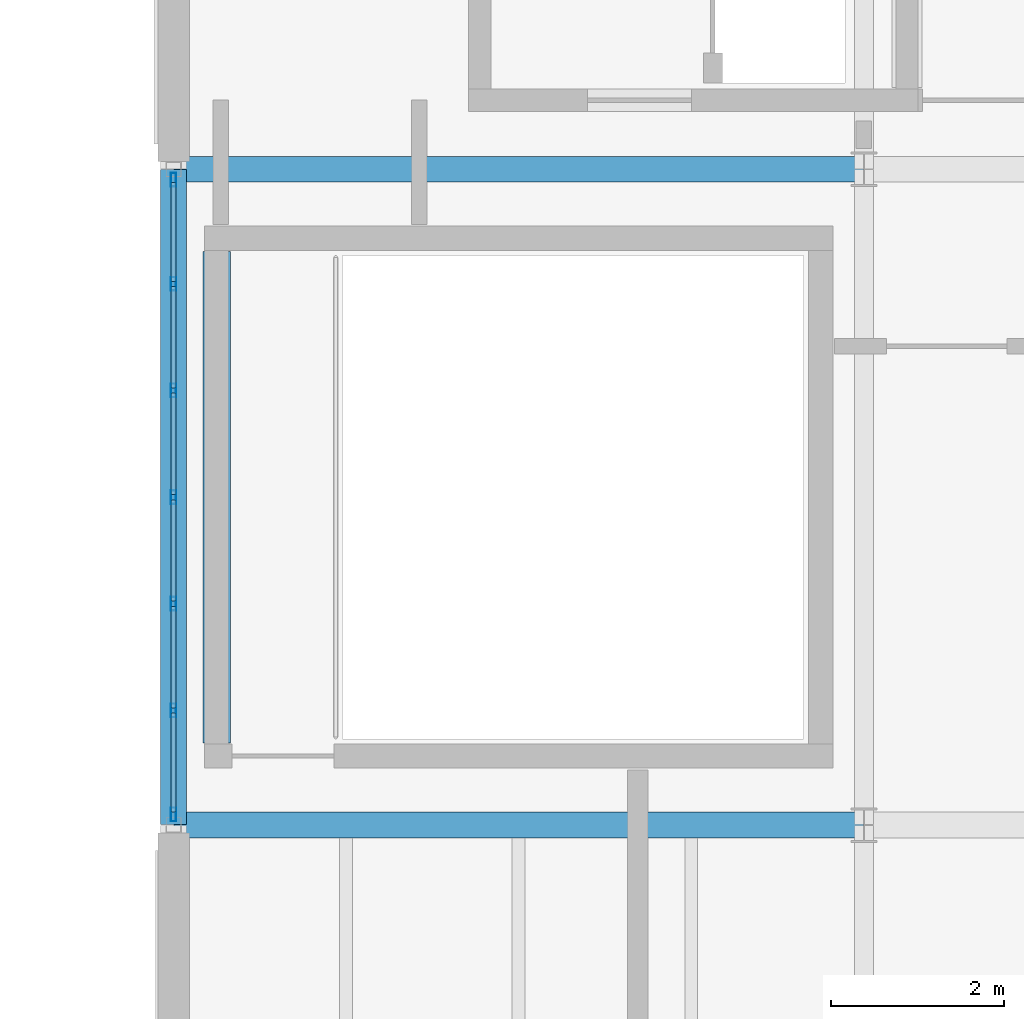
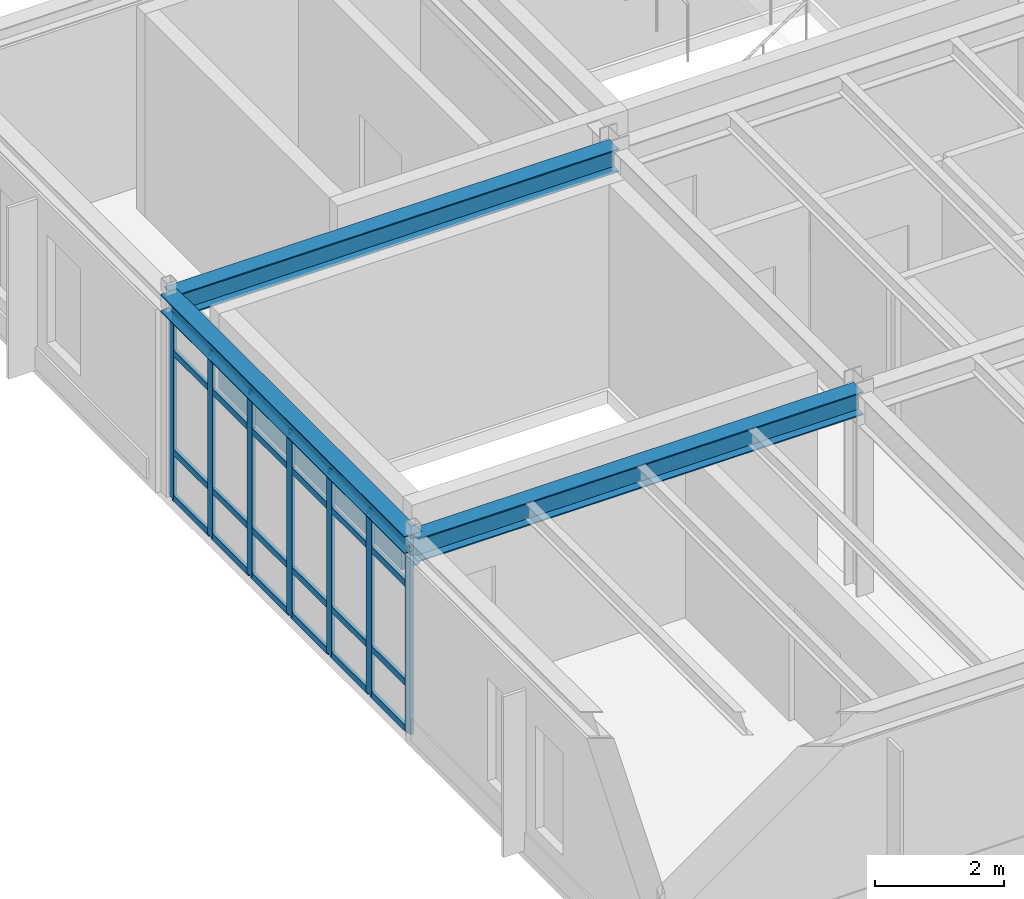
# One storey, part 39 of 65: 31 members, 4 beams, 1 element without a shape of its own.
"""IFC4 building model written with IfcOpenShell, lengths in metres."""

from ifc_helpers import new_model, si_unit, direction, frame, origin, origin_2d, place, context, subcontext, project, spatial, rectangle, hollow_rectangle, i_section, extrude, material, layer, layer_set, material_profile, profile_set, type_object, element, aggregate, save


model = new_model("IFC4")

# Units and contexts
model_context = context("Model", 3, precision=1e-05, world=origin(), true_north=direction((0.0, 1.0)))
body_context = subcontext(model_context, "Body", "Model", "MODEL_VIEW")
ifc_project = project(units=[si_unit("LENGTHUNIT", "METRE"), si_unit("AREAUNIT", "SQUARE_METRE"), si_unit("VOLUMEUNIT", "CUBIC_METRE"), si_unit("PLANEANGLEUNIT", "RADIAN"), si_unit("MASSUNIT", "GRAM", prefix="KILO")], contexts=[model_context])

# Site, building, storey
site_placement = place(None, origin())
site = spatial("IfcSite", under=ifc_project, at=site_placement, CompositionType="ELEMENT")
building_placement = place(site_placement, origin())
building = spatial("IfcBuilding", under=site, at=building_placement, Name="Montecoro Central Library", CompositionType="ELEMENT")
storey_placement = place(building_placement, frame((0.0, 0.0, 17.340087890625)))
storey = spatial("IfcBuildingStorey", under=building, at=storey_placement, Name="L04", CompositionType="ELEMENT", Elevation=17.340087890625)

# Beams
ifc_material_1 = material(Name="Steel S355J2", Category="steel")
ifc_material_profile_1 = material_profile(ifc_material_1, i_section(OverallWidth=0.300048828125, OverallDepth=0.43994140625, WebThickness=0.011474609375, FlangeThickness=0.02099609375, at=origin_2d()), Name="HEA 450")
ifc_profile_set_1 = profile_set([ifc_material_profile_1], Name="Steel S355J2")
beam_type_1 = type_object("IfcBeamType", Name="BM-G-HEA450", PredefinedType="USERDEFINED", material=ifc_profile_set_1)
for number, where, z_axis, x_axis, name in (
    (1, (141.0048828125, 103.800048828125, 3.60498046875), (1.0, 0.0, 0.0), (0.0, 1.0, 0.0), "V5-L04-BX-1819-P"),
    (2, (141.0048828125, 111.39990234375, 3.60498046875), (1.0, 0.0, 0.0), (0.0, 1.0, 0.0), "V5-L04-BX-1819-Q"),
):
    element("IfcBeam", number, at=place(storey_placement, frame(where, z_axis=z_axis, x_axis=x_axis)), inside=storey, type_object=beam_type_1, Name=name, ObjectType="GIRDER", PredefinedType="USERDEFINED", context=body_context, shape_type="SweptSolid", body=[
        extrude(i_section(OverallWidth=0.300048828125, OverallDepth=0.43994140625, WebThickness=0.011474609375, FlangeThickness=0.02099609375, at=origin_2d()), origin(), (0.0, 0.0, 1.0), 7.990234375),
    ])
ifc_material_2 = material(Name="Concrete C35/45", Category="concrete")
ifc_material_profile_2 = material_profile(ifc_material_2, rectangle(XDim=0.320068359375, YDim=0.5, at=origin_2d()), Name="RC LNT 500x320")
ifc_profile_set_2 = profile_set([ifc_material_profile_2], Name="Concrete C35/45")
beam_type_2 = type_object("IfcBeamType", Name="BM-LN-RC03", PredefinedType="LINTEL", material=ifc_profile_set_2)
beam_1_placement = place(storey_placement, frame((141.5, 104.75, 2.699951171875), z_axis=(0.0, 1.0, 0.0), x_axis=(-1.0, 0.0, 0.0)))
element("IfcBeam", 3, at=beam_1_placement, inside=storey, type_object=beam_type_2, Name="C8-L04-LNT", PredefinedType="LINTEL", context=body_context, shape_type="SweptSolid", body=[
    extrude(rectangle(XDim=0.320068359375, YDim=0.5, at=origin_2d()), origin(), (0.0, 0.0, 1.0), 5.699951171875),
])
ifc_material_3 = material(Name="Steel S355", Category="steel")
ifc_material_profile_3 = material_profile(ifc_material_3, i_section(OverallWidth=0.300048828125, OverallDepth=0.330078125, WebThickness=0.009521484375, FlangeThickness=0.0166015625, at=origin_2d()), Name="HEA 340")
ifc_profile_set_3 = profile_set([ifc_material_profile_3], Name="Steel S355")
beam_type_3 = type_object("IfcBeamType", Name="BM-SP-HEA340", PredefinedType="SPANDREL", material=ifc_profile_set_3)
beam_2_placement = place(storey_placement, frame((141.0, 103.804931640625, 3.659912109375), z_axis=(0.0, 1.0, 0.0), x_axis=(-1.0, 0.0, 0.0)))
element("IfcBeam", 4, at=beam_2_placement, inside=storey, type_object=beam_type_3, Name="V5-L04-BY-18-PQ", PredefinedType="SPANDREL", context=body_context, shape_type="SweptSolid", body=[
    extrude(i_section(OverallWidth=0.300048828125, OverallDepth=0.330078125, WebThickness=0.009521484375, FlangeThickness=0.0166015625, at=origin_2d()), origin(), (0.0, 0.0, 1.0), 7.590087890625),
])

# Curtain wall, members
ifc_material_4 = material(Name="Bronze-anodised aluminium and low-E glazing", Category="aluminium")
ifc_layer = layer(ifc_material_4, 0.159912109375)
ifc_layer_set = layer_set([ifc_layer], Name="Bronze-anodised aluminium and low-E glazing")
curtain_wall_type = type_object("IfcCurtainWallType", Name="CWT-056", PredefinedType="NOTDEFINED", material=ifc_layer_set)
curtain_wall_placement = place(storey_placement, origin())
curtain_wall = element("IfcCurtainWall", 5, at=curtain_wall_placement, inside=storey, type_object=curtain_wall_type, Name="V5-L04-CW-W1", PredefinedType="NOTDEFINED")
ifc_material_5 = material(Name="Bronze-anodised aluminium", Category="aluminium")
ifc_material_profile_4 = material_profile(ifc_material_5, hollow_rectangle(XDim=0.06005859375, YDim=0.159912109375, WallThickness=0.00390625, at=origin_2d()), Name="CWM 160x60x4.0")
ifc_profile_set_4 = profile_set([ifc_material_profile_4], Name="Bronze-anodised aluminium")
member_type_1 = type_object("IfcMemberType", Name="CWM-BRZ-60", PredefinedType="MULLION", material=ifc_profile_set_4)
member_1_placement = place(storey_placement, frame((141.0, 111.277099609375, 0.0), z_axis=(0.0, 0.0, 1.0), x_axis=(1.0, 0.0, 0.0)))
member_1 = element("IfcMember", 6, at=member_1_placement, type_object=member_type_1, Name="CW-056 mullion 1", PredefinedType="MULLION", context=body_context, shape_type="SweptSolid", body=[
    extrude(hollow_rectangle(XDim=0.06005859375, YDim=0.159912109375, WallThickness=0.00390625, at=origin_2d()), origin(), (0.0, 0.0, 1.0), 3.47998046875),
])
member_2_placement = place(storey_placement, frame((141.0, 110.0712890625, 0.0), z_axis=(0.0, 0.0, 1.0), x_axis=(1.0, 0.0, 0.0)))
member_2 = element("IfcMember", 7, at=member_2_placement, type_object=member_type_1, Name="CW-056 mullion 2", PredefinedType="MULLION", context=body_context, shape_type="SweptSolid", body=[
    extrude(hollow_rectangle(XDim=0.06005859375, YDim=0.159912109375, WallThickness=0.00390625, at=origin_2d()), origin(), (0.0, 0.0, 1.0), 3.47998046875),
])
member_3_placement = place(storey_placement, frame((141.0, 108.835693359375, 0.0), z_axis=(0.0, 0.0, 1.0), x_axis=(1.0, 0.0, 0.0)))
member_3 = element("IfcMember", 8, at=member_3_placement, type_object=member_type_1, Name="CW-056 mullion 3", PredefinedType="MULLION", context=body_context, shape_type="SweptSolid", body=[
    extrude(hollow_rectangle(XDim=0.06005859375, YDim=0.159912109375, WallThickness=0.00390625, at=origin_2d()), origin(), (0.0, 0.0, 1.0), 3.47998046875),
])
member_4_placement = place(storey_placement, frame((141.0, 107.60009765625, 0.0), z_axis=(0.0, 0.0, 1.0), x_axis=(1.0, 0.0, 0.0)))
member_4 = element("IfcMember", 9, at=member_4_placement, type_object=member_type_1, Name="CW-056 mullion 4", PredefinedType="MULLION", context=body_context, shape_type="SweptSolid", body=[
    extrude(hollow_rectangle(XDim=0.06005859375, YDim=0.159912109375, WallThickness=0.00390625, at=origin_2d()), origin(), (0.0, 0.0, 1.0), 3.47998046875),
])
member_5_placement = place(storey_placement, frame((141.0, 106.3642578125, 0.0), z_axis=(0.0, 0.0, 1.0), x_axis=(1.0, 0.0, 0.0)))
member_5 = element("IfcMember", 10, at=member_5_placement, type_object=member_type_1, Name="CW-056 mullion 5", PredefinedType="MULLION", context=body_context, shape_type="SweptSolid", body=[
    extrude(hollow_rectangle(XDim=0.06005859375, YDim=0.159912109375, WallThickness=0.00390625, at=origin_2d()), origin(), (0.0, 0.0, 1.0), 3.47998046875),
])
member_6_placement = place(storey_placement, frame((141.0, 105.128662109375, 0.0), z_axis=(0.0, 0.0, 1.0), x_axis=(1.0, 0.0, 0.0)))
member_6 = element("IfcMember", 11, at=member_6_placement, type_object=member_type_1, Name="CW-056 mullion 6", PredefinedType="MULLION", context=body_context, shape_type="SweptSolid", body=[
    extrude(hollow_rectangle(XDim=0.06005859375, YDim=0.159912109375, WallThickness=0.00390625, at=origin_2d()), origin(), (0.0, 0.0, 1.0), 3.47998046875),
])
member_7_placement = place(storey_placement, frame((141.0, 103.923095703125, 0.0), z_axis=(0.0, 0.0, 1.0), x_axis=(1.0, 0.0, 0.0)))
member_7 = element("IfcMember", 12, at=member_7_placement, type_object=member_type_1, Name="CW-056 mullion 7", PredefinedType="MULLION", context=body_context, shape_type="SweptSolid", body=[
    extrude(hollow_rectangle(XDim=0.06005859375, YDim=0.159912109375, WallThickness=0.00390625, at=origin_2d()), origin(), (0.0, 0.0, 1.0), 3.47998046875),
])
ifc_material_profile_5 = material_profile(ifc_material_5, hollow_rectangle(XDim=0.06005859375, YDim=0.1201171875, WallThickness=0.00390625, at=origin_2d()), Name="CWT 120x60x4.0")
ifc_profile_set_5 = profile_set([ifc_material_profile_5], Name="Bronze-anodised aluminium")
member_type_2 = type_object("IfcMemberType", Name="CWT-BRZ-60", PredefinedType="USERDEFINED", material=ifc_profile_set_5)
member_8_placement = place(storey_placement, frame((141.0, 111.2470703125, 0.030029296875), z_axis=(0.0, -1.0, 0.0), x_axis=(1.0, 0.0, 0.0)))
member_8 = element("IfcMember", 13, at=member_8_placement, type_object=member_type_2, Name="CW-056 transom 1.1", ObjectType="TRANSOM", PredefinedType="USERDEFINED", context=body_context, shape_type="SweptSolid", body=[
    extrude(hollow_rectangle(XDim=0.06005859375, YDim=0.1201171875, WallThickness=0.00390625, at=origin_2d()), origin(), (0.0, 0.0, 1.0), 1.145751953125),
])
member_9_placement = place(storey_placement, frame((141.0, 111.2470703125, 0.89990234375), z_axis=(0.0, -1.0, 0.0), x_axis=(1.0, 0.0, 0.0)))
member_9 = element("IfcMember", 14, at=member_9_placement, type_object=member_type_2, Name="CW-056 transom 1.2", ObjectType="TRANSOM", PredefinedType="USERDEFINED", context=body_context, shape_type="SweptSolid", body=[
    extrude(hollow_rectangle(XDim=0.06005859375, YDim=0.1201171875, WallThickness=0.00390625, at=origin_2d()), origin(), (0.0, 0.0, 1.0), 1.145751953125),
])
member_10_placement = place(storey_placement, frame((141.0, 111.2470703125, 2.780029296875), z_axis=(0.0, -1.0, 0.0), x_axis=(1.0, 0.0, 0.0)))
member_10 = element("IfcMember", 15, at=member_10_placement, type_object=member_type_2, Name="CW-056 transom 1.3", ObjectType="TRANSOM", PredefinedType="USERDEFINED", context=body_context, shape_type="SweptSolid", body=[
    extrude(hollow_rectangle(XDim=0.06005859375, YDim=0.1201171875, WallThickness=0.00390625, at=origin_2d()), origin(), (0.0, 0.0, 1.0), 1.145751953125),
])
member_11_placement = place(storey_placement, frame((141.0, 111.2470703125, 3.449951171875), z_axis=(0.0, -1.0, 0.0), x_axis=(1.0, 0.0, 0.0)))
member_11 = element("IfcMember", 16, at=member_11_placement, type_object=member_type_2, Name="CW-056 transom 1.4", ObjectType="TRANSOM", PredefinedType="USERDEFINED", context=body_context, shape_type="SweptSolid", body=[
    extrude(hollow_rectangle(XDim=0.06005859375, YDim=0.1201171875, WallThickness=0.00390625, at=origin_2d()), origin(), (0.0, 0.0, 1.0), 1.145751953125),
])
member_12_placement = place(storey_placement, frame((141.0, 110.041259765625, 0.030029296875), z_axis=(0.0, -1.0, 0.0), x_axis=(1.0, 0.0, 0.0)))
member_12 = element("IfcMember", 17, at=member_12_placement, type_object=member_type_2, Name="CW-056 transom 2.1", ObjectType="TRANSOM", PredefinedType="USERDEFINED", context=body_context, shape_type="SweptSolid", body=[
    extrude(hollow_rectangle(XDim=0.06005859375, YDim=0.1201171875, WallThickness=0.00390625, at=origin_2d()), origin(), (0.0, 0.0, 1.0), 1.175537109375),
])
member_13_placement = place(storey_placement, frame((141.0, 110.041259765625, 0.89990234375), z_axis=(0.0, -1.0, 0.0), x_axis=(1.0, 0.0, 0.0)))
member_13 = element("IfcMember", 18, at=member_13_placement, type_object=member_type_2, Name="CW-056 transom 2.2", ObjectType="TRANSOM", PredefinedType="USERDEFINED", context=body_context, shape_type="SweptSolid", body=[
    extrude(hollow_rectangle(XDim=0.06005859375, YDim=0.1201171875, WallThickness=0.00390625, at=origin_2d()), origin(), (0.0, 0.0, 1.0), 1.175537109375),
])
member_14_placement = place(storey_placement, frame((141.0, 110.041259765625, 2.780029296875), z_axis=(0.0, -1.0, 0.0), x_axis=(1.0, 0.0, 0.0)))
member_14 = element("IfcMember", 19, at=member_14_placement, type_object=member_type_2, Name="CW-056 transom 2.3", ObjectType="TRANSOM", PredefinedType="USERDEFINED", context=body_context, shape_type="SweptSolid", body=[
    extrude(hollow_rectangle(XDim=0.06005859375, YDim=0.1201171875, WallThickness=0.00390625, at=origin_2d()), origin(), (0.0, 0.0, 1.0), 1.175537109375),
])
member_15_placement = place(storey_placement, frame((141.0, 110.041259765625, 3.449951171875), z_axis=(0.0, -1.0, 0.0), x_axis=(1.0, 0.0, 0.0)))
member_15 = element("IfcMember", 20, at=member_15_placement, type_object=member_type_2, Name="CW-056 transom 2.4", ObjectType="TRANSOM", PredefinedType="USERDEFINED", context=body_context, shape_type="SweptSolid", body=[
    extrude(hollow_rectangle(XDim=0.06005859375, YDim=0.1201171875, WallThickness=0.00390625, at=origin_2d()), origin(), (0.0, 0.0, 1.0), 1.175537109375),
])
member_16_placement = place(storey_placement, frame((141.0, 108.8056640625, 0.030029296875), z_axis=(0.0, -1.0, 0.0), x_axis=(1.0, 0.0, 0.0)))
member_16 = element("IfcMember", 21, at=member_16_placement, type_object=member_type_2, Name="CW-056 transom 3.1", ObjectType="TRANSOM", PredefinedType="USERDEFINED", context=body_context, shape_type="SweptSolid", body=[
    extrude(hollow_rectangle(XDim=0.06005859375, YDim=0.1201171875, WallThickness=0.00390625, at=origin_2d()), origin(), (0.0, 0.0, 1.0), 1.17578125),
])
member_17_placement = place(storey_placement, frame((141.0, 108.8056640625, 0.89990234375), z_axis=(0.0, -1.0, 0.0), x_axis=(1.0, 0.0, 0.0)))
member_17 = element("IfcMember", 22, at=member_17_placement, type_object=member_type_2, Name="CW-056 transom 3.2", ObjectType="TRANSOM", PredefinedType="USERDEFINED", context=body_context, shape_type="SweptSolid", body=[
    extrude(hollow_rectangle(XDim=0.06005859375, YDim=0.1201171875, WallThickness=0.00390625, at=origin_2d()), origin(), (0.0, 0.0, 1.0), 1.17578125),
])
member_18_placement = place(storey_placement, frame((141.0, 108.8056640625, 2.780029296875), z_axis=(0.0, -1.0, 0.0), x_axis=(1.0, 0.0, 0.0)))
member_18 = element("IfcMember", 23, at=member_18_placement, type_object=member_type_2, Name="CW-056 transom 3.3", ObjectType="TRANSOM", PredefinedType="USERDEFINED", context=body_context, shape_type="SweptSolid", body=[
    extrude(hollow_rectangle(XDim=0.06005859375, YDim=0.1201171875, WallThickness=0.00390625, at=origin_2d()), origin(), (0.0, 0.0, 1.0), 1.17578125),
])
member_19_placement = place(storey_placement, frame((141.0, 108.8056640625, 3.449951171875), z_axis=(0.0, -1.0, 0.0), x_axis=(1.0, 0.0, 0.0)))
member_19 = element("IfcMember", 24, at=member_19_placement, type_object=member_type_2, Name="CW-056 transom 3.4", ObjectType="TRANSOM", PredefinedType="USERDEFINED", context=body_context, shape_type="SweptSolid", body=[
    extrude(hollow_rectangle(XDim=0.06005859375, YDim=0.1201171875, WallThickness=0.00390625, at=origin_2d()), origin(), (0.0, 0.0, 1.0), 1.17578125),
])
member_20_placement = place(storey_placement, frame((141.0, 107.570068359375, 0.030029296875), z_axis=(0.0, -1.0, 0.0), x_axis=(1.0, 0.0, 0.0)))
member_20 = element("IfcMember", 25, at=member_20_placement, type_object=member_type_2, Name="CW-056 transom 4.1", ObjectType="TRANSOM", PredefinedType="USERDEFINED", context=body_context, shape_type="SweptSolid", body=[
    extrude(hollow_rectangle(XDim=0.06005859375, YDim=0.1201171875, WallThickness=0.00390625, at=origin_2d()), origin(), (0.0, 0.0, 1.0), 1.17578125),
])
member_21_placement = place(storey_placement, frame((141.0, 107.570068359375, 0.89990234375), z_axis=(0.0, -1.0, 0.0), x_axis=(1.0, 0.0, 0.0)))
member_21 = element("IfcMember", 26, at=member_21_placement, type_object=member_type_2, Name="CW-056 transom 4.2", ObjectType="TRANSOM", PredefinedType="USERDEFINED", context=body_context, shape_type="SweptSolid", body=[
    extrude(hollow_rectangle(XDim=0.06005859375, YDim=0.1201171875, WallThickness=0.00390625, at=origin_2d()), origin(), (0.0, 0.0, 1.0), 1.17578125),
])
member_22_placement = place(storey_placement, frame((141.0, 107.570068359375, 2.780029296875), z_axis=(0.0, -1.0, 0.0), x_axis=(1.0, 0.0, 0.0)))
member_22 = element("IfcMember", 27, at=member_22_placement, type_object=member_type_2, Name="CW-056 transom 4.3", ObjectType="TRANSOM", PredefinedType="USERDEFINED", context=body_context, shape_type="SweptSolid", body=[
    extrude(hollow_rectangle(XDim=0.06005859375, YDim=0.1201171875, WallThickness=0.00390625, at=origin_2d()), origin(), (0.0, 0.0, 1.0), 1.17578125),
])
member_23_placement = place(storey_placement, frame((141.0, 107.570068359375, 3.449951171875), z_axis=(0.0, -1.0, 0.0), x_axis=(1.0, 0.0, 0.0)))
member_23 = element("IfcMember", 28, at=member_23_placement, type_object=member_type_2, Name="CW-056 transom 4.4", ObjectType="TRANSOM", PredefinedType="USERDEFINED", context=body_context, shape_type="SweptSolid", body=[
    extrude(hollow_rectangle(XDim=0.06005859375, YDim=0.1201171875, WallThickness=0.00390625, at=origin_2d()), origin(), (0.0, 0.0, 1.0), 1.17578125),
])
member_24_placement = place(storey_placement, frame((141.0, 106.334228515625, 0.030029296875), z_axis=(0.0, -1.0, 0.0), x_axis=(1.0, 0.0, 0.0)))
member_24 = element("IfcMember", 29, at=member_24_placement, type_object=member_type_2, Name="CW-056 transom 5.1", ObjectType="TRANSOM", PredefinedType="USERDEFINED", context=body_context, shape_type="SweptSolid", body=[
    extrude(hollow_rectangle(XDim=0.06005859375, YDim=0.1201171875, WallThickness=0.00390625, at=origin_2d()), origin(), (0.0, 0.0, 1.0), 1.175537109375),
])
member_25_placement = place(storey_placement, frame((141.0, 106.334228515625, 0.89990234375), z_axis=(0.0, -1.0, 0.0), x_axis=(1.0, 0.0, 0.0)))
member_25 = element("IfcMember", 30, at=member_25_placement, type_object=member_type_2, Name="CW-056 transom 5.2", ObjectType="TRANSOM", PredefinedType="USERDEFINED", context=body_context, shape_type="SweptSolid", body=[
    extrude(hollow_rectangle(XDim=0.06005859375, YDim=0.1201171875, WallThickness=0.00390625, at=origin_2d()), origin(), (0.0, 0.0, 1.0), 1.175537109375),
])
member_26_placement = place(storey_placement, frame((141.0, 106.334228515625, 2.780029296875), z_axis=(0.0, -1.0, 0.0), x_axis=(1.0, 0.0, 0.0)))
member_26 = element("IfcMember", 31, at=member_26_placement, type_object=member_type_2, Name="CW-056 transom 5.3", ObjectType="TRANSOM", PredefinedType="USERDEFINED", context=body_context, shape_type="SweptSolid", body=[
    extrude(hollow_rectangle(XDim=0.06005859375, YDim=0.1201171875, WallThickness=0.00390625, at=origin_2d()), origin(), (0.0, 0.0, 1.0), 1.175537109375),
])
member_27_placement = place(storey_placement, frame((141.0, 106.334228515625, 3.449951171875), z_axis=(0.0, -1.0, 0.0), x_axis=(1.0, 0.0, 0.0)))
member_27 = element("IfcMember", 32, at=member_27_placement, type_object=member_type_2, Name="CW-056 transom 5.4", ObjectType="TRANSOM", PredefinedType="USERDEFINED", context=body_context, shape_type="SweptSolid", body=[
    extrude(hollow_rectangle(XDim=0.06005859375, YDim=0.1201171875, WallThickness=0.00390625, at=origin_2d()), origin(), (0.0, 0.0, 1.0), 1.175537109375),
])
member_28_placement = place(storey_placement, frame((141.0, 105.0986328125, 0.030029296875), z_axis=(0.0, -1.0, 0.0), x_axis=(1.0, 0.0, 0.0)))
member_28 = element("IfcMember", 33, at=member_28_placement, type_object=member_type_2, Name="CW-056 transom 6.1", ObjectType="TRANSOM", PredefinedType="USERDEFINED", context=body_context, shape_type="SweptSolid", body=[
    extrude(hollow_rectangle(XDim=0.06005859375, YDim=0.1201171875, WallThickness=0.00390625, at=origin_2d()), origin(), (0.0, 0.0, 1.0), 1.145751953125),
])
member_29_placement = place(storey_placement, frame((141.0, 105.0986328125, 0.89990234375), z_axis=(0.0, -1.0, 0.0), x_axis=(1.0, 0.0, 0.0)))
member_29 = element("IfcMember", 34, at=member_29_placement, type_object=member_type_2, Name="CW-056 transom 6.2", ObjectType="TRANSOM", PredefinedType="USERDEFINED", context=body_context, shape_type="SweptSolid", body=[
    extrude(hollow_rectangle(XDim=0.06005859375, YDim=0.1201171875, WallThickness=0.00390625, at=origin_2d()), origin(), (0.0, 0.0, 1.0), 1.145751953125),
])
member_30_placement = place(storey_placement, frame((141.0, 105.0986328125, 2.780029296875), z_axis=(0.0, -1.0, 0.0), x_axis=(1.0, 0.0, 0.0)))
member_30 = element("IfcMember", 35, at=member_30_placement, type_object=member_type_2, Name="CW-056 transom 6.3", ObjectType="TRANSOM", PredefinedType="USERDEFINED", context=body_context, shape_type="SweptSolid", body=[
    extrude(hollow_rectangle(XDim=0.06005859375, YDim=0.1201171875, WallThickness=0.00390625, at=origin_2d()), origin(), (0.0, 0.0, 1.0), 1.145751953125),
])
member_31_placement = place(storey_placement, frame((141.0, 105.0986328125, 3.449951171875), z_axis=(0.0, -1.0, 0.0), x_axis=(1.0, 0.0, 0.0)))
member_31 = element("IfcMember", 36, at=member_31_placement, type_object=member_type_2, Name="CW-056 transom 6.4", ObjectType="TRANSOM", PredefinedType="USERDEFINED", context=body_context, shape_type="SweptSolid", body=[
    extrude(hollow_rectangle(XDim=0.06005859375, YDim=0.1201171875, WallThickness=0.00390625, at=origin_2d()), origin(), (0.0, 0.0, 1.0), 1.145751953125),
])
aggregate(curtain_wall, [member_1, member_2, member_3, member_4, member_5, member_6, member_7, member_8, member_9, member_10, member_11, member_12, member_13, member_14, member_15, member_16, member_17, member_18, member_19, member_20, member_21, member_22, member_23, member_24, member_25, member_26, member_27, member_28, member_29, member_30, member_31])

save(model, "model.ifc")
